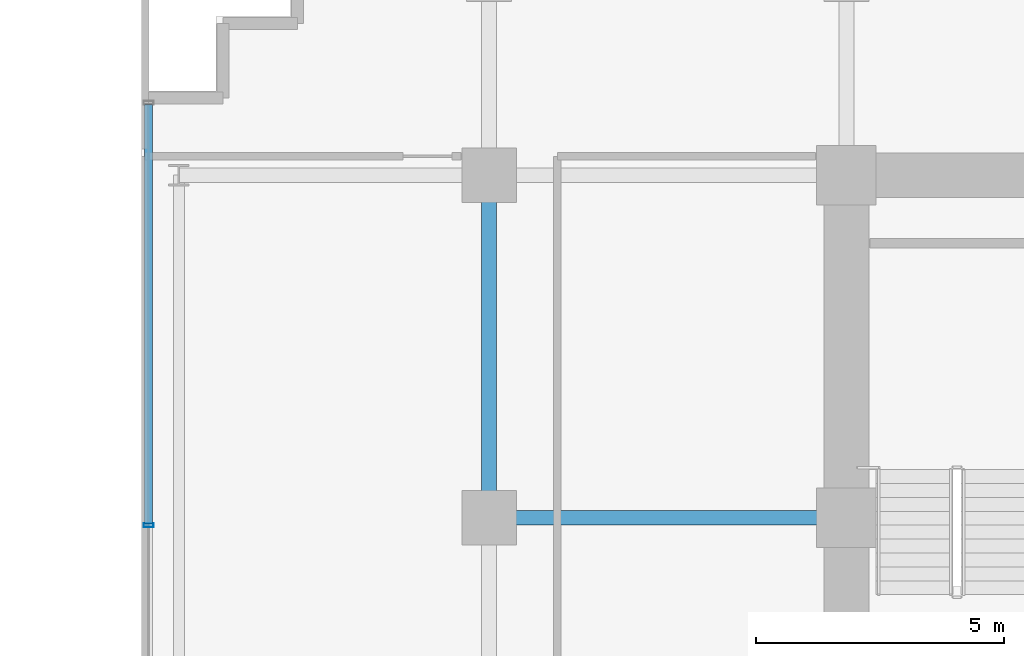
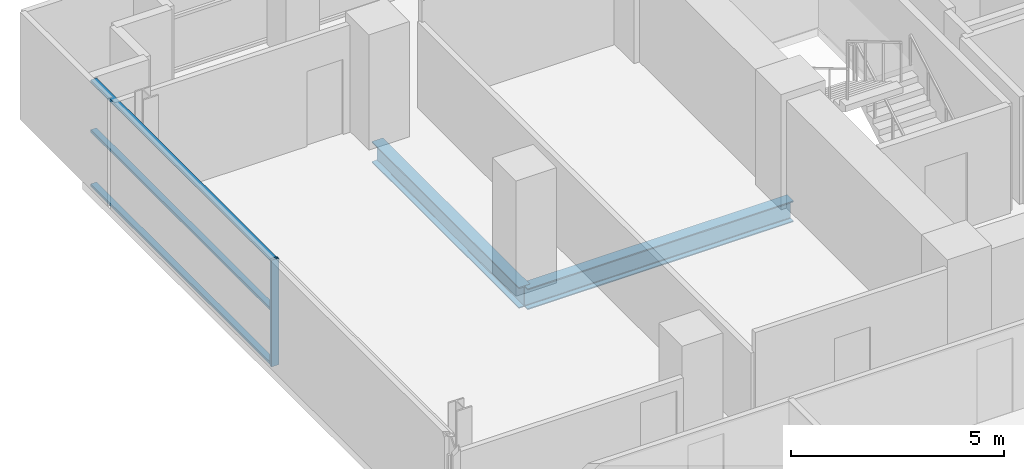
# One storey, part 7 of 32: 4 members, 2 beams, 1 element without a shape of its own.
"""IFC4 building model written with IfcOpenShell, lengths in metres."""

from ifc_helpers import new_model, si_unit, direction, frame, origin, origin_2d, place, context, subcontext, project, spatial, hollow_rectangle, i_section, extrude, source, transform, mapped, material, layer, layer_set, material_profile, profile_set, type_object, element, aggregate, save


model = new_model("IFC4")

# Units and contexts
model_context = context("Model", 3, precision=1e-05, world=origin(), true_north=direction((0.0, 1.0)))
body_context = subcontext(model_context, "Body", "Model", "MODEL_VIEW")
ifc_project = project(units=[si_unit("LENGTHUNIT", "METRE"), si_unit("AREAUNIT", "SQUARE_METRE"), si_unit("VOLUMEUNIT", "CUBIC_METRE"), si_unit("PLANEANGLEUNIT", "RADIAN"), si_unit("MASSUNIT", "GRAM", prefix="KILO")], contexts=[model_context])

# Site, building, storey
site_placement = place(None, origin())
site = spatial("IfcSite", under=ifc_project, at=site_placement, CompositionType="ELEMENT")
building_placement = place(site_placement, origin())
building = spatial("IfcBuilding", under=site, at=building_placement, Name="Zarnakvel Exchange Tower", CompositionType="ELEMENT")
storey_placement = place(building_placement, frame((0.0, 0.0, 73.60009765625)))
storey = spatial("IfcBuildingStorey", under=building, at=storey_placement, Name="L20", CompositionType="ELEMENT", Elevation=73.60009765625)

# Beams
ifc_material_1 = material(Name="Steel S355", Category="steel")
ifc_material_profile_1 = material_profile(ifc_material_1, i_section(OverallWidth=0.300048828125, OverallDepth=0.60009765625, WebThickness=0.015380859375, FlangeThickness=0.030029296875, FilletRadius=0.027099609375, at=origin_2d()))
ifc_profile_set_1 = profile_set([ifc_material_profile_1], Name="Steel S355")
beam_type = type_object("IfcBeamType", Name="G-04", PredefinedType="BEAM", material=ifc_profile_set_1)
beam_1_placement = place(storey_placement, frame((-21.60009765625, 6.60009765625, -0.525146484375), z_axis=(1.0, 0.0, 0.0), x_axis=(0.0, 1.0, 0.0)))
element("IfcBeam", 1, at=beam_1_placement, inside=storey, type_object=beam_type, Name="L20 Tower E-W Frame Beam", PredefinedType="BEAM", context=body_context, shape_type="SweptSolid", body=[
    extrude(i_section(OverallWidth=0.300048828125, OverallDepth=0.60009765625, WebThickness=0.015380859375, FlangeThickness=0.030029296875, FilletRadius=0.027099609375, at=origin_2d()), origin(), (0.0, 0.0, 1.0), 7.2001953125),
])
beam_2_placement = place(storey_placement, frame((-21.60009765625, 6.60009765625, -0.525146484375), z_axis=(0.0, 1.0, 0.0), x_axis=(-1.0, 0.0, 0.0)))
element("IfcBeam", 2, at=beam_2_placement, inside=storey, type_object=beam_type, Name="L20 Tower N-S Frame Beam", PredefinedType="BEAM", context=body_context, shape_type="SweptSolid", body=[
    extrude(i_section(OverallWidth=0.300048828125, OverallDepth=0.60009765625, WebThickness=0.015380859375, FlangeThickness=0.030029296875, FilletRadius=0.027099609375, at=origin_2d()), origin(), (0.0, 0.0, 1.0), 6.89990234375),
])

# Curtain wall, members
ifc_material_2 = material(Name="Architectural Bronze Anodised Aluminium", Category="aluminium")
ifc_layer = layer(ifc_material_2, 0.199951171875)
ifc_layer_set = layer_set([ifc_layer], Name="Architectural Bronze Anodised Aluminium")
curtain_wall_type = type_object("IfcCurtainWallType", Name="CW-04", PredefinedType="NOTDEFINED", material=ifc_layer_set)
curtain_wall_placement = place(storey_placement, origin())
curtain_wall = element("IfcCurtainWall", 3, at=curtain_wall_placement, inside=storey, type_object=curtain_wall_type, Name="L20 Curtain Wall CW-L20-WN (CW-04)", PredefinedType="NOTDEFINED")
ifc_material_profile_2 = material_profile(ifc_material_2, hollow_rectangle(XDim=0.159912109375, YDim=0.074951171875, WallThickness=0.00390625, at=origin_2d()))
ifc_profile_set_2 = profile_set([ifc_material_profile_2], Name="Architectural Bronze Anodised Aluminium")
member_type_1 = type_object("IfcMemberType", Name="CWT-04", PredefinedType="USERDEFINED", material=ifc_profile_set_2)
shared_shape_1 = source(origin(), body_context, "Body", "SweptSolid", [
    extrude(hollow_rectangle(XDim=0.159912109375, YDim=0.074951171875, WallThickness=0.00390625, at=origin_2d()), origin(), (0.0, 0.0, 1.0), 8.4375),
])
member_1_placement = place(storey_placement, frame((-28.4599609375, 6.487548828125, 0.037353515625), z_axis=(0.0, 1.0, 0.0), x_axis=(-1.0, 0.0, 0.0)))
member_1 = element("IfcMember", 4, at=member_1_placement, type_object=member_type_1, Name="CW-04 transom 2.1", ObjectType="TRANSOM", PredefinedType="USERDEFINED", context=body_context, shape_type="MappedRepresentation", body=[
    mapped(shared_shape_1, transform((0.0, 0.0, 0.0), x_axis=(1.0, 0.0, 0.0), y_axis=(0.0, 1.0, 0.0), z_axis=(0.0, 0.0, 1.0), scale=1.0)),
])
member_2_placement = place(storey_placement, frame((-28.4599609375, 6.487548828125, 1.588623046875), z_axis=(0.0, 1.0, 0.0), x_axis=(-1.0, 0.0, 0.0)))
member_2 = element("IfcMember", 5, at=member_2_placement, type_object=member_type_1, Name="CW-04 transom 2.2", ObjectType="TRANSOM", PredefinedType="USERDEFINED", context=body_context, shape_type="MappedRepresentation", body=[
    mapped(shared_shape_1, transform((0.0, 0.0, 0.0), x_axis=(1.0, 0.0, 0.0), y_axis=(0.0, 1.0, 0.0), z_axis=(0.0, 0.0, 1.0), scale=1.0)),
])
member_3_placement = place(storey_placement, frame((-28.4599609375, 6.487548828125, 3.017333984375), z_axis=(0.0, 1.0, 0.0), x_axis=(-1.0, 0.0, 0.0)))
member_3 = element("IfcMember", 6, at=member_3_placement, type_object=member_type_1, Name="CW-04 transom 2.3", ObjectType="TRANSOM", PredefinedType="USERDEFINED", context=body_context, shape_type="MappedRepresentation", body=[
    mapped(shared_shape_1, transform((0.0, 0.0, 0.0), x_axis=(1.0, 0.0, 0.0), y_axis=(0.0, 1.0, 0.0), z_axis=(0.0, 0.0, 1.0), scale=1.0)),
])
ifc_material_profile_3 = material_profile(ifc_material_2, hollow_rectangle(XDim=0.199951171875, YDim=0.074951171875, WallThickness=0.0048828125, at=origin_2d()))
ifc_profile_set_3 = profile_set([ifc_material_profile_3], Name="Architectural Bronze Anodised Aluminium")
member_type_2 = type_object("IfcMemberType", Name="CWM-04", PredefinedType="MULLION", material=ifc_profile_set_3)
shared_shape_2 = source(origin(), body_context, "Body", "SweptSolid", [
    extrude(hollow_rectangle(XDim=0.199951171875, YDim=0.074951171875, WallThickness=0.0048828125, at=origin_2d()), origin(), (0.0, 0.0, 1.0), 3.054931640625),
])
member_4_placement = place(storey_placement, frame((-28.4599609375, 6.449951171875, 0.0), z_axis=(0.0, 0.0, 1.0), x_axis=(-1.0, 0.0, 0.0)))
member_4 = element("IfcMember", 7, at=member_4_placement, type_object=member_type_2, Name="CW-04 mullion 2", PredefinedType="MULLION", context=body_context, shape_type="MappedRepresentation", body=[
    mapped(shared_shape_2, transform((0.0, 0.0, 0.0), x_axis=(1.0, 0.0, 0.0), y_axis=(0.0, 1.0, 0.0), z_axis=(0.0, 0.0, 1.0), scale=1.0)),
])
aggregate(curtain_wall, [member_4, member_1, member_2, member_3])

save(model, "model.ifc")
